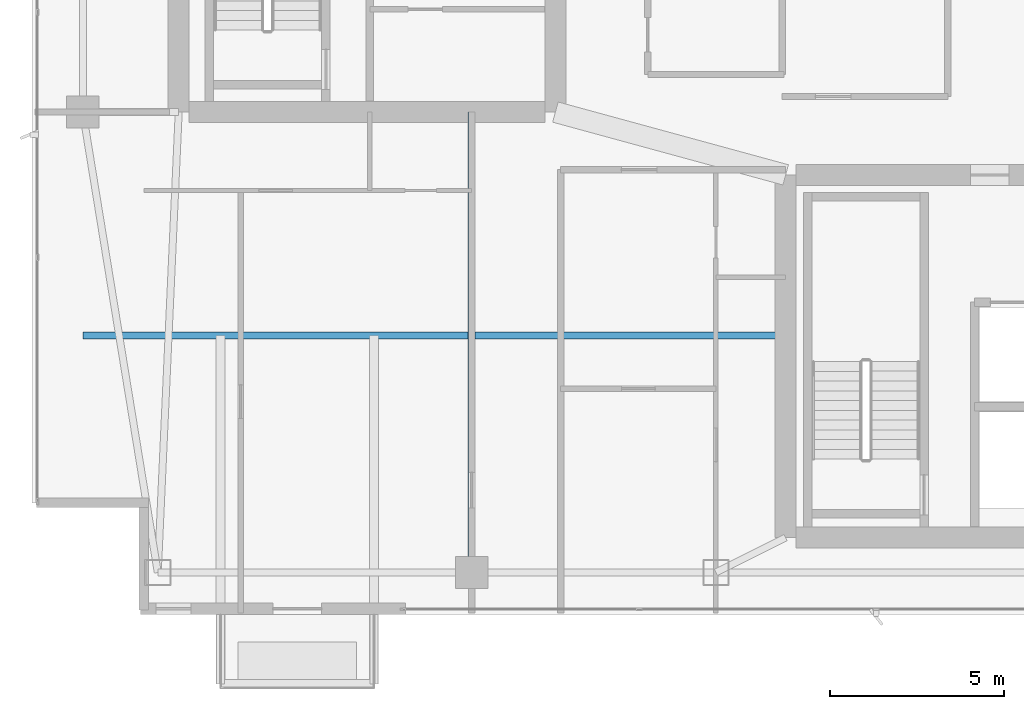
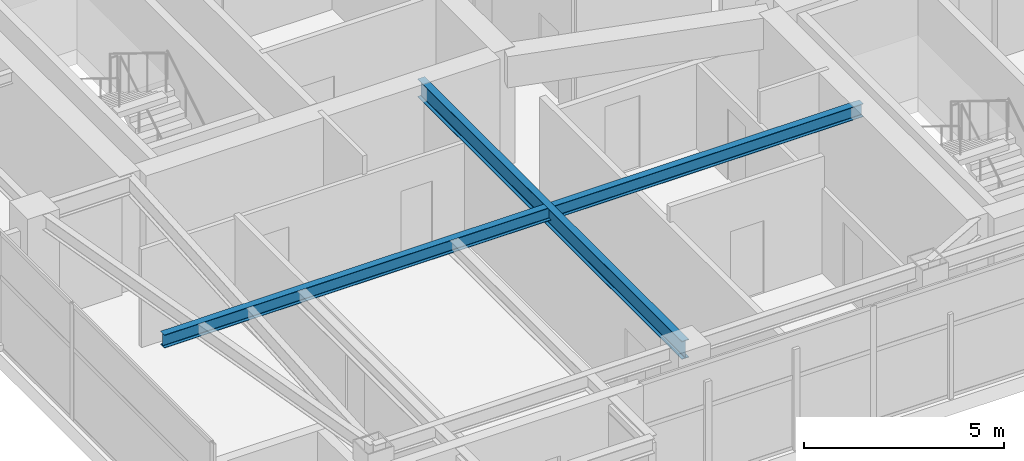
# One storey, part 6 of 27: 2 beams.
"""IFC4 building model written with IfcOpenShell, lengths in metres."""

import ifcopenshell
import ifcopenshell.guid

model = None  # the IFC model being written
_history = None  # IfcOwnerHistory: only IFC2X3 demands one
_inside = {}  # id of a spatial element -> (the spatial element, [elements in it])
_under = {}  # id of a project, library or spatial element -> (it, [spatial elements below it])
_declared = {}  # id of a project -> (the project, [libraries it declares])
_typed = {}  # id of a type object -> (the type object, [elements of that type])
_made_of = {}  # id of a material, layer set ... -> (it, [elements and type objects made of it])


def new_model(schema):
    """Start an empty IFC model of exactly this schema.

    Asked for "IFC4X3", IfcOpenShell would pick the latest addendum, in which some entities
    have other attributes; the version numbers below select the first issue.
    IFC2X3 requires an IfcOwnerHistory on every rooted entity: one is made here for all.
    """
    global model, _history
    if schema == "IFC4X3":
        model = ifcopenshell.file(schema_version=(4, 3, 0, 0))
    else:
        model = ifcopenshell.file(schema=schema)
    _inside.clear()
    _under.clear()
    _declared.clear()
    _typed.clear()
    _made_of.clear()
    _history = None
    if model.schema == "IFC2X3":
        org = make("IfcOrganization", Name="unknown")
        user = make(
            "IfcPersonAndOrganization",
            ThePerson=make("IfcPerson", FamilyName="unknown"),
            TheOrganization=org,
        )
        app = make(
            "IfcApplication",
            ApplicationDeveloper=org,
            Version="unknown",
            ApplicationFullName="unknown",
            ApplicationIdentifier="unknown",
        )
        _history = make(
            "IfcOwnerHistory",
            OwningUser=user,
            OwningApplication=app,
            ChangeAction="ADDED",
            CreationDate=0,
        )
    return model


def make(cls, **values):
    """One entity of the class cls with the attributes given. An attribute that is None is left unset."""
    return model.create_entity(
        cls, **{name: value for name, value in values.items() if value is not None}
    )


def rooted(cls, **values):
    """An entity with a GlobalId (a new one), such as an element, a storey or a relation."""
    return make(cls, GlobalId=ifcopenshell.guid.new(), OwnerHistory=_history, **values)


def si_unit(unit_type, name, prefix=None):
    """IfcSIUnit, for example si_unit("LENGTHUNIT", "METRE", prefix="MILLI")."""
    return make("IfcSIUnit", UnitType=unit_type, Prefix=prefix, Name=name)


def assignment(units):
    """IfcUnitAssignment: the units of a project."""
    return None if units is None else make("IfcUnitAssignment", Units=units)


def point(xyz):
    """IfcCartesianPoint."""
    return None if xyz is None else make("IfcCartesianPoint", Coordinates=xyz)


def direction(xyz):
    """IfcDirection."""
    return None if xyz is None else make("IfcDirection", DirectionRatios=xyz)


def frame(location, z_axis=None, x_axis=None):
    """IfcAxis2Placement3D, a coordinate frame: its origin and axes. An axis left out is left unset."""
    return make(
        "IfcAxis2Placement3D",
        Location=point(location),
        Axis=direction(z_axis),
        RefDirection=direction(x_axis),
    )


def frame_2d(location, x_axis=None):
    """IfcAxis2Placement2D, a coordinate frame in the plane: its origin and x axis."""
    return make(
        "IfcAxis2Placement2D", Location=point(location), RefDirection=direction(x_axis)
    )


def origin():
    """The frame at (0, 0, 0) with its axes left unset."""
    return frame((0.0, 0.0, 0.0))


def origin_2d():
    """The frame at (0, 0) in the plane with its x axis left unset."""
    return frame_2d((0.0, 0.0))


def place(relative_to, where):
    """IfcLocalPlacement: puts the frame where relative to a parent placement (None: the world)."""
    return make(
        "IfcLocalPlacement", PlacementRelTo=relative_to, RelativePlacement=where
    )


def context(
    kind, dimensions, precision=None, world=None, true_north=None, identifier=None
):
    """IfcGeometricRepresentationContext, for example the 3D "Model" context."""
    return make(
        "IfcGeometricRepresentationContext",
        ContextIdentifier=identifier,
        ContextType=kind,
        CoordinateSpaceDimension=dimensions,
        Precision=precision,
        WorldCoordinateSystem=world,
        TrueNorth=true_north,
    )


def subcontext(parent, identifier, kind, view, scale=None):
    """IfcGeometricRepresentationSubContext, for example "Body" below "Model"."""
    return make(
        "IfcGeometricRepresentationSubContext",
        ContextIdentifier=identifier,
        ContextType=kind,
        ParentContext=parent,
        TargetScale=scale,
        TargetView=view,
    )


def project(units=None, contexts=None):
    """IfcProject with its units and contexts."""
    return rooted(
        "IfcProject",
        Name="project",
        RepresentationContexts=contexts,
        UnitsInContext=assignment(units),
    )


def spatial(cls, under=None, at=None, **own):
    """A site, building, storey or space (cls), placed at a placement, below another one or the project."""
    s = rooted(cls, ObjectPlacement=at, **own)
    if under is not None:
        _under.setdefault(under.id(), (under, []))[1].append(s)
    return s


def profile(cls, at=None, kind="AREA", **sizes):
    """A parametric profile (cls). Its sizes go by their IFC names, for example OverallWidth=200.0."""
    return make(cls, ProfileType=kind, Position=at, **sizes)


def i_section(**sizes):
    """IfcIShapeProfileDef."""
    return profile("IfcIShapeProfileDef", **sizes)


def extrude(swept, where, along, depth):
    """IfcExtrudedAreaSolid: the profile swept, set in the frame where, extruded along a direction by depth."""
    return make(
        "IfcExtrudedAreaSolid",
        SweptArea=swept,
        Position=where,
        ExtrudedDirection=direction(along),
        Depth=depth,
    )


def shape(context_of_items, identifier, shape_type, items):
    """IfcShapeRepresentation: the items that make up one representation, for example the "Body"."""
    return make(
        "IfcShapeRepresentation",
        ContextOfItems=context_of_items,
        RepresentationIdentifier=identifier,
        RepresentationType=shape_type,
        Items=items,
    )


def material(Name=None, Category=None):
    """IfcMaterial."""
    return make("IfcMaterial", Name=Name, Category=Category)


def material_profile(
    of_material, cross_section, Name=None, Category=None, Priority=None
):
    """IfcMaterialProfile: a cross section and its material."""
    return make(
        "IfcMaterialProfile",
        Name=Name,
        Material=of_material,
        Profile=cross_section,
        Priority=Priority,
        Category=Category,
    )


def profile_set(profiles, Name=None, composite=None):
    """IfcMaterialProfileSet."""
    return make(
        "IfcMaterialProfileSet",
        Name=Name,
        MaterialProfiles=profiles,
        CompositeProfile=composite,
    )


def made_of(thing, what):
    """Note that an element or type object is made of a material, layer set ...; save() writes the relation."""
    if what is not None:
        _made_of.setdefault(what.id(), (what, []))[1].append(thing)
    return thing


def type_object(cls, material=None, **own):
    """A type object (cls), such as IfcWallType, which elements share."""
    return made_of(rooted(cls, **own), material)


def element(
    cls,
    number,
    at=None,
    inside=None,
    cuts=None,
    type_object=None,
    material=None,
    context=None,
    identifier="Body",
    shape_type=None,
    held_by="IfcProductDefinitionShape",
    body=None,
    shapes=None,
    **own,
):
    """One element of the class cls, such as IfcWall. Its Tag is "e" and its number.

    at: its placement. inside: the storey or other place that contains it. cuts: it is an
    opening in that element (IfcRelVoidsElement). A single representation is given by context,
    identifier, shape_type and body (its items); several are given by shapes. held_by: the class
    of the entity that holds the representations. save() writes the other relations.
    """
    e = rooted(cls, Tag="e%d" % number, ObjectPlacement=at, **own)
    if body is not None:
        shapes = [shape(context, identifier, shape_type, body)]
    if shapes is not None:
        e.Representation = make(held_by, Representations=shapes)
    if inside is not None:
        _inside.setdefault(inside.id(), (inside, []))[1].append(e)
    if cuts is not None:
        rooted(
            "IfcRelVoidsElement", RelatingBuildingElement=cuts, RelatedOpeningElement=e
        )
    if type_object is not None:
        _typed.setdefault(type_object.id(), (type_object, []))[1].append(e)
    return made_of(e, material)


def aggregate(whole, parts):
    """IfcRelAggregates: a whole, such as a stair, and the parts it consists of."""
    return rooted("IfcRelAggregates", RelatingObject=whole, RelatedObjects=parts)


def save(model, path):
    """Write the relations noted so far, then the file.

    IfcRelAggregates (storeys below a building ...), IfcRelContainedInSpatialStructure (elements
    in a storey), IfcRelDefinesByType, IfcRelAssociatesMaterial and IfcRelDeclares: one each for
    every whole, place, type object, material and project.
    """
    for whole, parts in _under.values():
        aggregate(whole, parts)
    for where, things in _inside.values():
        rooted(
            "IfcRelContainedInSpatialStructure",
            RelatedElements=things,
            RelatingStructure=where,
        )
    for kind, things in _typed.values():
        rooted("IfcRelDefinesByType", RelatedObjects=things, RelatingType=kind)
    for what, things in _made_of.values():
        rooted("IfcRelAssociatesMaterial", RelatedObjects=things, RelatingMaterial=what)
    for by, libraries in _declared.values():
        rooted("IfcRelDeclares", RelatingContext=by, RelatedDefinitions=libraries)
    model.write(path)


model = new_model("IFC4")

# Units and contexts
model_context = context("Model", 3, precision=1e-05, world=origin(), true_north=direction((0.0, 1.0)))
body_context = subcontext(model_context, "Body", "Model", "MODEL_VIEW")
ifc_project = project(units=[si_unit("LENGTHUNIT", "METRE"), si_unit("AREAUNIT", "SQUARE_METRE"), si_unit("VOLUMEUNIT", "CUBIC_METRE"), si_unit("PLANEANGLEUNIT", "RADIAN"), si_unit("MASSUNIT", "GRAM", prefix="KILO")], contexts=[model_context])

# Site, building, storey
site_placement = place(None, origin())
site = spatial("IfcSite", under=ifc_project, at=site_placement, CompositionType="ELEMENT")
building_placement = place(site_placement, origin())
building = spatial("IfcBuilding", under=site, at=building_placement, Name="Calvorn Quay Hotel", CompositionType="ELEMENT")
storey_placement = place(building_placement, frame((0.0, 0.0, 287.300048828125)))
storey = spatial("IfcBuildingStorey", under=building, at=storey_placement, Name="L71", CompositionType="ELEMENT", Elevation=287.300048828125)

# Beams
ifc_material_1 = material(Name="Steel Q355B", Category="steel")
ifc_material_profile_1 = material_profile(ifc_material_1, i_section(OverallWidth=0.199951171875, OverallDepth=0.550048828125, WebThickness=0.010009765625, FlangeThickness=0.01611328125, FilletRadius=0.01806640625, at=origin_2d()), Name="HN550x200x10x16")
ifc_profile_set_1 = profile_set([ifc_material_profile_1], Name="Steel Q355B")
beam_type_1 = type_object("IfcBeamType", Name="BM-GIRD-UPP", PredefinedType="BEAM", material=ifc_profile_set_1)
beam_1_placement = place(storey_placement, frame((12.60009765625, 3.60009765625, 3.264892578125), z_axis=(0.0, 1.0, 0.0), x_axis=(-1.0, 0.0, 0.0)))
element("IfcBeam", 1, at=beam_1_placement, inside=storey, type_object=beam_type_1, Name="Beam BG-L71-S1", PredefinedType="BEAM", context=body_context, shape_type="SweptSolid", body=[
    extrude(i_section(OverallWidth=0.199951171875, OverallDepth=0.550048828125, WebThickness=0.010009765625, FlangeThickness=0.01611328125, FilletRadius=0.01806640625, at=origin_2d()), origin(), (0.0, 0.0, 1.0), 13.199951171875),
])
ifc_material_2 = material(Name="Steel Q355B", Category="steel")
ifc_material_profile_2 = material_profile(ifc_material_2, i_section(OverallWidth=0.199951171875, OverallDepth=0.39990234375, WebThickness=0.008056640625, FlangeThickness=0.012939453125, FilletRadius=0.01611328125, at=origin_2d()), Name="HN400x200x8x13")
ifc_profile_set_2 = profile_set([ifc_material_profile_2], Name="Steel Q355B")
beam_type_2 = type_object("IfcBeamType", Name="BM-JOIST-TYP", PredefinedType="JOIST", material=ifc_profile_set_2)
beam_2_placement = place(storey_placement, frame((1.449951171875, 10.39990234375, 3.33984375), z_axis=(1.0, 0.0, 0.0), x_axis=(0.0, 1.0, 0.0)))
element("IfcBeam", 2, at=beam_2_placement, inside=storey, type_object=beam_type_2, Name="Beam BJ-L71-W1", PredefinedType="JOIST", context=body_context, shape_type="SweptSolid", body=[
    extrude(i_section(OverallWidth=0.199951171875, OverallDepth=0.39990234375, WebThickness=0.008056640625, FlangeThickness=0.012939453125, FilletRadius=0.01611328125, at=origin_2d()), origin(), (0.0, 0.0, 1.0), 20.150146484375),
])

save(model, "model.ifc")
